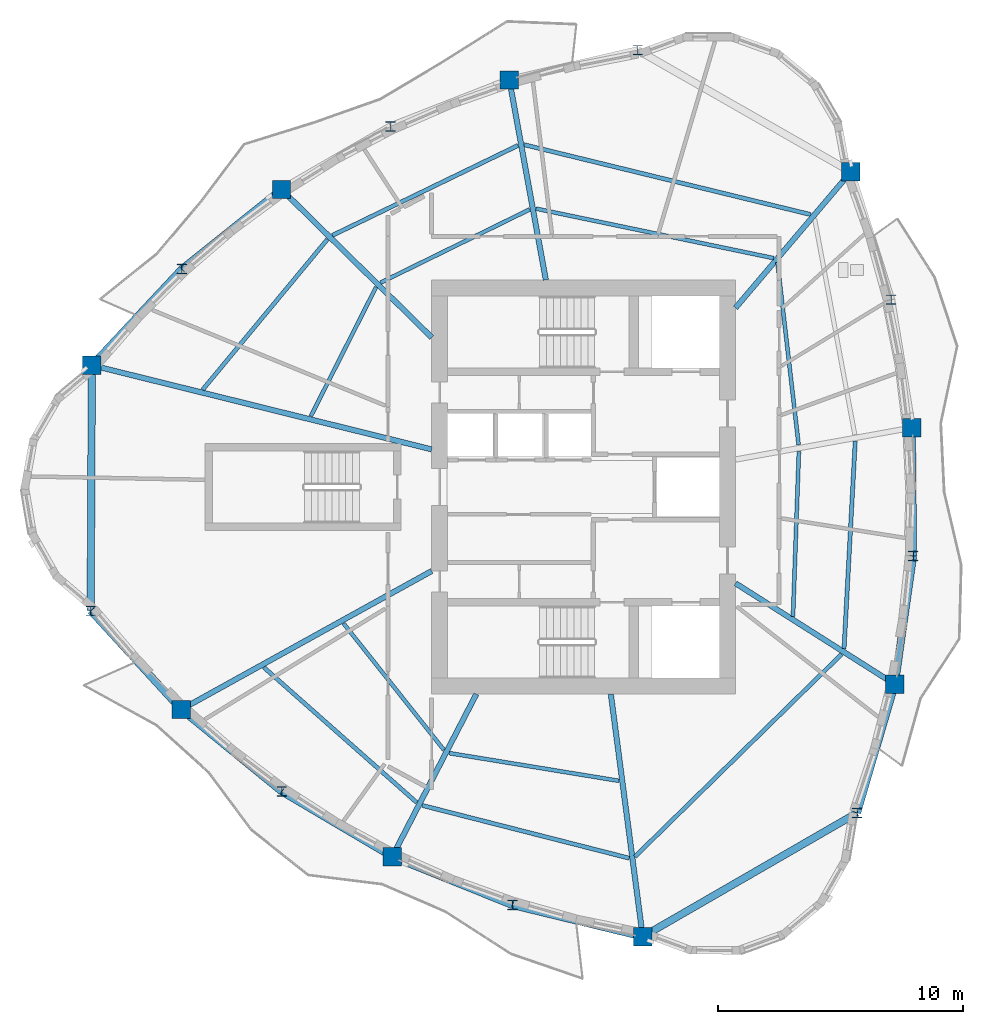
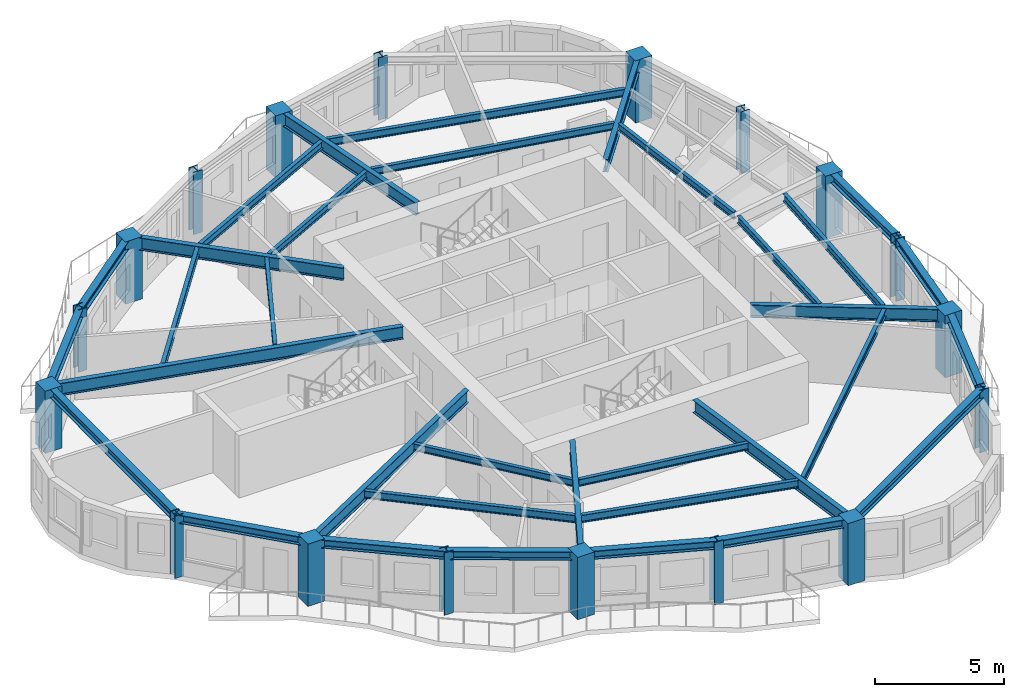
# One storey, part 1 of 12: 34 beams, 18 columns.
"""IFC4 building model written with IfcOpenShell, lengths in metres."""

from ifc_helpers import new_model, si_unit, direction, frame, origin, origin_2d, place, context, subcontext, project, spatial, rectangle, i_section, extrude, source, transform, mapped, material, material_profile, profile_set, type_object, element, save


model = new_model("IFC4")

# Units and contexts
model_context = context("Model", 3, precision=1e-05, world=origin(), true_north=direction((0.0, 1.0)))
body_context = subcontext(model_context, "Body", "Model", "MODEL_VIEW")
ifc_project = project(units=[si_unit("LENGTHUNIT", "METRE"), si_unit("AREAUNIT", "SQUARE_METRE"), si_unit("VOLUMEUNIT", "CUBIC_METRE"), si_unit("PLANEANGLEUNIT", "RADIAN"), si_unit("MASSUNIT", "GRAM", prefix="KILO")], contexts=[model_context])

# Site, building, storey
site_placement = place(None, origin())
site = spatial("IfcSite", under=ifc_project, at=site_placement, CompositionType="ELEMENT")
building_placement = place(site_placement, origin())
building = spatial("IfcBuilding", under=site, at=building_placement, Name="Qafzar Sky-Pleat Residences", CompositionType="ELEMENT")
storey_placement = place(building_placement, frame((0.0, 0.0, 174.60009765625)))
storey = spatial("IfcBuildingStorey", under=building, at=storey_placement, Name="L52", CompositionType="ELEMENT", Elevation=174.60009765625)

# Columns
ifc_material_1 = material(Name="Concrete C60/75", Category="concrete")
ifc_material_profile_1 = material_profile(ifc_material_1, rectangle(XDim=0.75, YDim=0.75, at=origin_2d()), Name="RC 750x750")
ifc_profile_set_1 = profile_set([ifc_material_profile_1], Name="Concrete C60/75")
column_type_1 = type_object("IfcColumnType", Name="COL-RC-750", PredefinedType="COLUMN", material=ifc_profile_set_1)
shared_shape_1 = source(origin(), body_context, "Body", "SweptSolid", [
    extrude(rectangle(XDim=0.75, YDim=0.75, at=origin_2d()), origin(), (0.0, 0.0, 1.0), 2.949951171875),
])
for number, where, z_axis, x_axis, name in (
    (1, (10.283203125, 30.967041015625, 0.0), (0.0, 0.0, 1.0), (1.0, 0.0, 0.0), "L52 Perimeter Mega Column 1"),
    (2, (13.931640625, 16.920166015625, 0.0), (0.0, 0.0, 1.0), (1.0, 0.0, 0.0), "L52 Perimeter Mega Column 3"),
    (3, (22.5380859375, 10.91552734375, 0.0), (0.0, 0.0, 1.0), (1.0, 0.0, 0.0), "L52 Perimeter Mega Column 5"),
    (4, (32.761962890625, 7.650390625, 0.0), (0.0, 0.0, 1.0), (1.0, 0.0, 0.0), "L52 Perimeter Mega Column 7"),
    (5, (43.050048828125, 17.948486328125, 0.0), (0.0, 0.0, 1.0), (1.0, 0.0, 0.0), "L52 Perimeter Mega Column 9"),
    (6, (43.74365234375, 28.419677734375, 0.0), (0.0, 0.0, 1.0), (1.0, 0.0, 0.0), "L52 Perimeter Mega Column 11"),
    (7, (41.25634765625, 38.860107421875, 0.0), (0.0, 0.0, 1.0), (1.0, 0.0, 0.0), "L52 Perimeter Mega Column 13"),
    (8, (27.320068359375, 42.60888671875, 0.0), (0.0, 0.0, 1.0), (1.0, 0.0, 0.0), "L52 Perimeter Mega Column 15"),
    (9, (18.02001953125, 38.142333984375, 0.0), (0.0, 0.0, 1.0), (1.0, 0.0, 0.0), "L52 Perimeter Mega Column 17"),
):
    element("IfcColumn", number, at=place(storey_placement, frame(where, z_axis=z_axis, x_axis=x_axis)), inside=storey, type_object=column_type_1, Name=name, PredefinedType="COLUMN", context=body_context, shape_type="MappedRepresentation", body=[
        mapped(shared_shape_1, transform((0.0, 0.0, 0.0), x_axis=(1.0, 0.0, 0.0), y_axis=(0.0, 1.0, 0.0), z_axis=(0.0, 0.0, 1.0), scale=1.0)),
    ])
ifc_material_2 = material(Name="Steel S355", Category="steel")
ifc_material_profile_2 = material_profile(ifc_material_2, i_section(OverallWidth=0.40087890625, OverallDepth=0.39892578125, WebThickness=0.02294921875, FlangeThickness=0.035888671875, FilletRadius=0.014892578125, at=origin_2d()), Name="HD 400x314")
ifc_profile_set_2 = profile_set([ifc_material_profile_2], Name="Steel S355")
column_type_2 = type_object("IfcColumnType", Name="COL-STL-HD314", PredefinedType="PILASTER", material=ifc_profile_set_2)
shared_shape_2 = source(origin(), body_context, "Body", "SweptSolid", [
    extrude(i_section(OverallWidth=0.40087890625, OverallDepth=0.39892578125, WebThickness=0.02294921875, FlangeThickness=0.035888671875, FilletRadius=0.014892578125, at=origin_2d()), origin(), (0.0, 0.0, 1.0), 2.949951171875),
])
for number, where, z_axis, x_axis, name in (
    (10, (10.234619140625, 20.94970703125, 0.0), (0.0, 0.0, 1.0), (1.0, 0.0, 0.0), "L52 Perimeter Mega Column 2"),
    (11, (18.03271484375, 13.575439453125, 0.0), (0.0, 0.0, 1.0), (1.0, 0.0, 0.0), "L52 Perimeter Mega Column 4"),
    (12, (27.447998046875, 8.940673828125, 0.0), (0.0, 0.0, 1.0), (1.0, 0.0, 0.0), "L52 Perimeter Mega Column 6"),
    (13, (41.51025390625, 12.701171875, 0.0), (0.0, 0.0, 1.0), (1.0, 0.0, 0.0), "L52 Perimeter Mega Column 8"),
    (14, (43.79443359375, 23.18798828125, 0.0), (0.0, 0.0, 1.0), (1.0, 0.0, 0.0), "L52 Perimeter Mega Column 10"),
    (15, (42.897705078125, 33.643798828125, 0.0), (0.0, 0.0, 1.0), (1.0, 0.0, 0.0), "L52 Perimeter Mega Column 12"),
    (16, (32.556640625, 43.82666015625, 0.0), (0.0, 0.0, 1.0), (1.0, 0.0, 0.0), "L52 Perimeter Mega Column 14"),
    (17, (22.474609375, 40.714111328125, 0.0), (0.0, 0.0, 1.0), (1.0, 0.0, 0.0), "L52 Perimeter Mega Column 16"),
    (18, (13.9560546875, 34.893310546875, 0.0), (0.0, 0.0, 1.0), (1.0, 0.0, 0.0), "L52 Perimeter Mega Column 18"),
):
    element("IfcColumn", number, at=place(storey_placement, frame(where, z_axis=z_axis, x_axis=x_axis)), inside=storey, type_object=column_type_2, Name=name, PredefinedType="PILASTER", context=body_context, shape_type="MappedRepresentation", body=[
        mapped(shared_shape_2, transform((0.0, 0.0, 0.0), x_axis=(1.0, 0.0, 0.0), y_axis=(0.0, 1.0, 0.0), z_axis=(0.0, 0.0, 1.0), scale=1.0)),
    ])

# Beams
ifc_material_profile_3 = material_profile(ifc_material_2, i_section(OverallWidth=0.300048828125, OverallDepth=0.39990234375, WebThickness=0.013427734375, FlangeThickness=0.02392578125, FilletRadius=0.027099609375, at=origin_2d()), Name="HEB 400")
ifc_profile_set_3 = profile_set([ifc_material_profile_3], Name="Steel S355")
beam_type_1 = type_object("IfcBeamType", Name="BM-SPAN-HEB400", PredefinedType="SPANDREL", material=ifc_profile_set_3)
shared_shape_3 = source(origin(), body_context, "Body", "SweptSolid", [
    extrude(i_section(OverallWidth=0.300048828125, OverallDepth=0.39990234375, WebThickness=0.013427734375, FlangeThickness=0.02392578125, FilletRadius=0.027099609375, at=origin_2d()), origin(), (0.0, 0.0, 1.0), 10.1015625),
])
beam_1_placement = place(storey_placement, frame((32.761962890625, 7.650390625, 2.747802734375), z_axis=(0.866027415153, 0.499996516191, 0.0), x_axis=(-0.499996516191, 0.866027415153, 0.0)))
element("IfcBeam", 19, at=beam_1_placement, inside=storey, type_object=beam_type_1, Name="L52 Perimeter Spandrel Beam 7", PredefinedType="SPANDREL", context=body_context, shape_type="MappedRepresentation", body=[
    mapped(shared_shape_3, transform((0.0, 0.0, 0.0), x_axis=(1.0, 0.0, 0.0), y_axis=(0.0, 1.0, 0.0), z_axis=(0.0, 0.0, 1.0), scale=1.0)),
])
shared_shape_4 = source(origin(), body_context, "Body", "SweptSolid", [
    extrude(i_section(OverallWidth=0.300048828125, OverallDepth=0.39990234375, WebThickness=0.013427734375, FlangeThickness=0.02392578125, FilletRadius=0.027099609375, at=origin_2d()), origin(), (0.0, 0.0, 1.0), 10.017333984375),
])
beam_2_placement = place(storey_placement, frame((10.283203125, 30.967041015625, 2.747802734375), z_axis=(-0.004849934429, -0.999988238999, 0.0), x_axis=(0.999988238999, -0.004849934429, 0.0)))
element("IfcBeam", 20, at=beam_2_placement, inside=storey, type_object=beam_type_1, Name="L52 Perimeter Spandrel Beam 1", PredefinedType="SPANDREL", context=body_context, shape_type="MappedRepresentation", body=[
    mapped(shared_shape_4, transform((0.0, 0.0, 0.0), x_axis=(1.0, 0.0, 0.0), y_axis=(0.0, 1.0, 0.0), z_axis=(0.0, 0.0, 1.0), scale=1.0)),
])
shared_shape_5 = source(origin(), body_context, "Body", "SweptSolid", [
    extrude(i_section(OverallWidth=0.300048828125, OverallDepth=0.39990234375, WebThickness=0.013427734375, FlangeThickness=0.02392578125, FilletRadius=0.027099609375, at=origin_2d()), origin(), (0.0, 0.0, 1.0), 5.468505859375),
])
for number, where, z_axis, x_axis, name in (
    (21, (10.234619140625, 20.94970703125, 2.747802734375), (0.676050045545, -0.736855709022, 0.0), (0.736855709022, 0.676050045545, 0.0), "L52 Perimeter Spandrel Beam 2"),
    (22, (41.51025390625, 12.701171875, 2.747802734375), (0.281571675808, 0.959540197898, 0.0), (-0.959540197898, 0.281571675808, 0.0), "L52 Perimeter Spandrel Beam 8"),
):
    element("IfcBeam", number, at=place(storey_placement, frame(where, z_axis=z_axis, x_axis=x_axis)), inside=storey, type_object=beam_type_1, Name=name, PredefinedType="SPANDREL", context=body_context, shape_type="MappedRepresentation", body=[
        mapped(shared_shape_5, transform((0.0, 0.0, 0.0), x_axis=(1.0, 0.0, 0.0), y_axis=(0.0, 1.0, 0.0), z_axis=(0.0, 0.0, 1.0), scale=1.0)),
    ])
shared_shape_6 = source(origin(), body_context, "Body", "SweptSolid", [
    extrude(i_section(OverallWidth=0.300048828125, OverallDepth=0.39990234375, WebThickness=0.013427734375, FlangeThickness=0.02392578125, FilletRadius=0.027099609375, at=origin_2d()), origin(), (0.0, 0.0, 1.0), 5.2919921875),
])
beam_3_placement = place(storey_placement, frame((13.931640625, 16.920166015625, 2.747802734375), z_axis=(0.774947075878, -0.632026130463, 0.0), x_axis=(0.632026130463, 0.774947075878, 0.0)))
element("IfcBeam", 23, at=beam_3_placement, inside=storey, type_object=beam_type_1, Name="L52 Perimeter Spandrel Beam 3", PredefinedType="SPANDREL", context=body_context, shape_type="MappedRepresentation", body=[
    mapped(shared_shape_6, transform((0.0, 0.0, 0.0), x_axis=(1.0, 0.0, 0.0), y_axis=(0.0, 1.0, 0.0), z_axis=(0.0, 0.0, 1.0), scale=1.0)),
])
shared_shape_7 = source(origin(), body_context, "Body", "SweptSolid", [
    extrude(i_section(OverallWidth=0.300048828125, OverallDepth=0.39990234375, WebThickness=0.013427734375, FlangeThickness=0.02392578125, FilletRadius=0.027099609375, at=origin_2d()), origin(), (0.0, 0.0, 1.0), 5.23193359375),
])
for number, where, z_axis, x_axis, name in (
    (24, (18.03271484375, 13.575439453125, 2.747802734375), (0.861123406865, -0.508395985575, 0.0), (0.508395985575, 0.861123406865, 0.0), "L52 Perimeter Spandrel Beam 4"),
    (25, (43.79443359375, 23.18798828125, 2.747802734375), (-0.009706015319, 0.999952895524, 0.0), (-0.999952895524, -0.009706015319, 0.0), "L52 Perimeter Spandrel Beam 10"),
):
    element("IfcBeam", number, at=place(storey_placement, frame(where, z_axis=z_axis, x_axis=x_axis)), inside=storey, type_object=beam_type_1, Name=name, PredefinedType="SPANDREL", context=body_context, shape_type="MappedRepresentation", body=[
        mapped(shared_shape_7, transform((0.0, 0.0, 0.0), x_axis=(1.0, 0.0, 0.0), y_axis=(0.0, 1.0, 0.0), z_axis=(0.0, 0.0, 1.0), scale=1.0)),
    ])
shared_shape_8 = source(origin(), body_context, "Body", "SweptSolid", [
    extrude(i_section(OverallWidth=0.300048828125, OverallDepth=0.39990234375, WebThickness=0.013427734375, FlangeThickness=0.02392578125, FilletRadius=0.027099609375, at=origin_2d()), origin(), (0.0, 0.0, 1.0), 5.292236328125),
])
for number, where, z_axis, x_axis, name in (
    (26, (22.5380859375, 10.91552734375, 2.747802734375), (0.927765514631, -0.373163703836, 0.0), (0.373163703836, 0.927765514631, 0.0), "L52 Perimeter Spandrel Beam 5"),
    (27, (43.050048828125, 17.948486328125, 2.747802734375), (0.140659198893, 0.990058073937, 0.0), (-0.990058073937, 0.140659198893, 0.0), "L52 Perimeter Spandrel Beam 9"),
):
    element("IfcBeam", number, at=place(storey_placement, frame(where, z_axis=z_axis, x_axis=x_axis)), inside=storey, type_object=beam_type_1, Name=name, PredefinedType="SPANDREL", context=body_context, shape_type="MappedRepresentation", body=[
        mapped(shared_shape_8, transform((0.0, 0.0, 0.0), x_axis=(1.0, 0.0, 0.0), y_axis=(0.0, 1.0, 0.0), z_axis=(0.0, 0.0, 1.0), scale=1.0)),
    ])
shared_shape_9 = source(origin(), body_context, "Body", "SweptSolid", [
    extrude(i_section(OverallWidth=0.300048828125, OverallDepth=0.39990234375, WebThickness=0.013427734375, FlangeThickness=0.02392578125, FilletRadius=0.027099609375, at=origin_2d()), origin(), (0.0, 0.0, 1.0), 5.46826171875),
])
beam_4_placement = place(storey_placement, frame((27.447998046875, 8.940673828125, 2.747802734375), z_axis=(0.971764234229, -0.235953963884, 0.0), x_axis=(0.235953963884, 0.971764234229, 0.0)))
element("IfcBeam", 28, at=beam_4_placement, inside=storey, type_object=beam_type_1, Name="L52 Perimeter Spandrel Beam 6", PredefinedType="SPANDREL", context=body_context, shape_type="MappedRepresentation", body=[
    mapped(shared_shape_9, transform((0.0, 0.0, 0.0), x_axis=(1.0, 0.0, 0.0), y_axis=(0.0, 1.0, 0.0), z_axis=(0.0, 0.0, 1.0), scale=1.0)),
])
shared_shape_10 = source(origin(), body_context, "Body", "SweptSolid", [
    extrude(i_section(OverallWidth=0.300048828125, OverallDepth=0.39990234375, WebThickness=0.013427734375, FlangeThickness=0.02392578125, FilletRadius=0.027099609375, at=origin_2d()), origin(), (0.0, 0.0, 1.0), 5.203125),
])
beam_5_placement = place(storey_placement, frame((18.02001953125, 38.142333984375, 2.747802734375), z_axis=(-0.781070191817, -0.624443236375, 0.0), x_axis=(0.624443236375, -0.781070191817, 0.0)))
element("IfcBeam", 29, at=beam_5_placement, inside=storey, type_object=beam_type_1, Name="L52 Perimeter Spandrel Beam 17", PredefinedType="SPANDREL", context=body_context, shape_type="MappedRepresentation", body=[
    mapped(shared_shape_10, transform((0.0, 0.0, 0.0), x_axis=(1.0, 0.0, 0.0), y_axis=(0.0, 1.0, 0.0), z_axis=(0.0, 0.0, 1.0), scale=1.0)),
])
shared_shape_11 = source(origin(), body_context, "Body", "SweptSolid", [
    extrude(i_section(OverallWidth=0.300048828125, OverallDepth=0.39990234375, WebThickness=0.013427734375, FlangeThickness=0.02392578125, FilletRadius=0.027099609375, at=origin_2d()), origin(), (0.0, 0.0, 1.0), 5.37646484375),
])
beam_6_placement = place(storey_placement, frame((13.9560546875, 34.893310546875, 2.747802734375), z_axis=(-0.683146192025, -0.730281644519, 0.0), x_axis=(0.730281644519, -0.683146192025, 0.0)))
element("IfcBeam", 30, at=beam_6_placement, inside=storey, type_object=beam_type_1, Name="L52 Perimeter Spandrel Beam 18", PredefinedType="SPANDREL", context=body_context, shape_type="MappedRepresentation", body=[
    mapped(shared_shape_11, transform((0.0, 0.0, 0.0), x_axis=(1.0, 0.0, 0.0), y_axis=(0.0, 1.0, 0.0), z_axis=(0.0, 0.0, 1.0), scale=1.0)),
])
ifc_material_profile_4 = material_profile(ifc_material_2, i_section(OverallWidth=0.219970703125, OverallDepth=0.60009765625, WebThickness=0.011962890625, FlangeThickness=0.01904296875, FilletRadius=0.02392578125, at=origin_2d()), Name="IPE 600")
ifc_profile_set_4 = profile_set([ifc_material_profile_4], Name="Steel S355")
beam_type_2 = type_object("IfcBeamType", Name="BM-SEC-IPE600", PredefinedType="BEAM", material=ifc_profile_set_4)
shared_shape_12 = source(origin(), body_context, "Body", "SweptSolid", [
    extrude(i_section(OverallWidth=0.219970703125, OverallDepth=0.60009765625, WebThickness=0.011962890625, FlangeThickness=0.01904296875, FilletRadius=0.02392578125, at=origin_2d()), origin(), (0.0, 0.0, 1.0), 14.28515625),
])
beam_7_placement = place(storey_placement, frame((10.283203125, 30.967041015625, 2.64794921875), z_axis=(0.97070485886, -0.24027500283, 0.0), x_axis=(0.24027500283, 0.97070485886, 0.0)))
element("IfcBeam", 31, at=beam_7_placement, inside=storey, type_object=beam_type_2, Name="L52 Radial Floor Girder 1", PredefinedType="BEAM", context=body_context, shape_type="MappedRepresentation", body=[
    mapped(shared_shape_12, transform((0.0, 0.0, 0.0), x_axis=(1.0, 0.0, 0.0), y_axis=(0.0, 1.0, 0.0), z_axis=(0.0, 0.0, 1.0), scale=1.0)),
])
shared_shape_13 = source(origin(), body_context, "Body", "SweptSolid", [
    extrude(i_section(OverallWidth=0.219970703125, OverallDepth=0.60009765625, WebThickness=0.011962890625, FlangeThickness=0.01904296875, FilletRadius=0.02392578125, at=origin_2d()), origin(), (0.0, 0.0, 1.0), 11.6767578125),
])
beam_8_placement = place(storey_placement, frame((13.931640625, 16.920166015625, 2.64794921875), z_axis=(0.875089622608, 0.483960899664, 0.0), x_axis=(-0.483960899664, 0.875089622608, 0.0)))
element("IfcBeam", 32, at=beam_8_placement, inside=storey, type_object=beam_type_2, Name="L52 Radial Floor Girder 3", PredefinedType="BEAM", context=body_context, shape_type="MappedRepresentation", body=[
    mapped(shared_shape_13, transform((0.0, 0.0, 0.0), x_axis=(1.0, 0.0, 0.0), y_axis=(0.0, 1.0, 0.0), z_axis=(0.0, 0.0, 1.0), scale=1.0)),
])
shared_shape_14 = source(origin(), body_context, "Body", "SweptSolid", [
    extrude(i_section(OverallWidth=0.219970703125, OverallDepth=0.60009765625, WebThickness=0.011962890625, FlangeThickness=0.01904296875, FilletRadius=0.02392578125, at=origin_2d()), origin(), (0.0, 0.0, 1.0), 7.471435546875),
])
beam_9_placement = place(storey_placement, frame((22.5380859375, 10.91552734375, 2.64794921875), z_axis=(0.459885995206, 0.887977967865, 0.0), x_axis=(-0.887977967865, 0.459885995206, 0.0)))
element("IfcBeam", 33, at=beam_9_placement, inside=storey, type_object=beam_type_2, Name="L52 Radial Floor Girder 5", PredefinedType="BEAM", context=body_context, shape_type="MappedRepresentation", body=[
    mapped(shared_shape_14, transform((0.0, 0.0, 0.0), x_axis=(1.0, 0.0, 0.0), y_axis=(0.0, 1.0, 0.0), z_axis=(0.0, 0.0, 1.0), scale=1.0)),
])
shared_shape_15 = source(origin(), body_context, "Body", "SweptSolid", [
    extrude(i_section(OverallWidth=0.219970703125, OverallDepth=0.60009765625, WebThickness=0.011962890625, FlangeThickness=0.01904296875, FilletRadius=0.02392578125, at=origin_2d()), origin(), (0.0, 0.0, 1.0), 9.98486328125),
])
beam_10_placement = place(storey_placement, frame((32.761962890625, 7.650390625, 2.64794921875), z_axis=(-0.13032484857, 0.99147134797, 0.0), x_axis=(-0.99147134797, -0.13032484857, 0.0)))
element("IfcBeam", 34, at=beam_10_placement, inside=storey, type_object=beam_type_2, Name="L52 Radial Floor Girder 7", PredefinedType="BEAM", context=body_context, shape_type="MappedRepresentation", body=[
    mapped(shared_shape_15, transform((0.0, 0.0, 0.0), x_axis=(1.0, 0.0, 0.0), y_axis=(0.0, 1.0, 0.0), z_axis=(0.0, 0.0, 1.0), scale=1.0)),
])
shared_shape_16 = source(origin(), body_context, "Body", "SweptSolid", [
    extrude(i_section(OverallWidth=0.219970703125, OverallDepth=0.60009765625, WebThickness=0.011962890625, FlangeThickness=0.01904296875, FilletRadius=0.02392578125, at=origin_2d()), origin(), (0.0, 0.0, 1.0), 7.6962890625),
])
beam_11_placement = place(storey_placement, frame((43.050048828125, 17.948486328125, 2.64794921875), z_axis=(-0.844573308828, 0.535439936888, 0.0), x_axis=(-0.535439936888, -0.844573308828, 0.0)))
element("IfcBeam", 35, at=beam_11_placement, inside=storey, type_object=beam_type_2, Name="L52 Radial Floor Girder 9", PredefinedType="BEAM", context=body_context, shape_type="MappedRepresentation", body=[
    mapped(shared_shape_16, transform((0.0, 0.0, 0.0), x_axis=(1.0, 0.0, 0.0), y_axis=(0.0, 1.0, 0.0), z_axis=(0.0, 0.0, 1.0), scale=1.0)),
])
shared_shape_17 = source(origin(), body_context, "Body", "SweptSolid", [
    extrude(i_section(OverallWidth=0.219970703125, OverallDepth=0.60009765625, WebThickness=0.011962890625, FlangeThickness=0.01904296875, FilletRadius=0.02392578125, at=origin_2d()), origin(), (0.0, 0.0, 1.0), 7.2763671875),
])
beam_12_placement = place(storey_placement, frame((41.25634765625, 38.860107421875, 2.64794921875), z_axis=(-0.64678412208, -0.76267312751, 0.0), x_axis=(0.76267312751, -0.64678412208, 0.0)))
element("IfcBeam", 36, at=beam_12_placement, inside=storey, type_object=beam_type_2, Name="L52 Radial Floor Girder 13", PredefinedType="BEAM", context=body_context, shape_type="MappedRepresentation", body=[
    mapped(shared_shape_17, transform((0.0, 0.0, 0.0), x_axis=(1.0, 0.0, 0.0), y_axis=(0.0, 1.0, 0.0), z_axis=(0.0, 0.0, 1.0), scale=1.0)),
])
shared_shape_18 = source(origin(), body_context, "Body", "SweptSolid", [
    extrude(i_section(OverallWidth=0.219970703125, OverallDepth=0.60009765625, WebThickness=0.011962890625, FlangeThickness=0.01904296875, FilletRadius=0.02392578125, at=origin_2d()), origin(), (0.0, 0.0, 1.0), 8.293701171875),
])
beam_13_placement = place(storey_placement, frame((27.320068359375, 42.60888671875, 2.64794921875), z_axis=(0.17947862419, -0.983761873351, 0.0), x_axis=(0.983761873351, 0.17947862419, 0.0)))
element("IfcBeam", 37, at=beam_13_placement, inside=storey, type_object=beam_type_2, Name="L52 Radial Floor Girder 15", PredefinedType="BEAM", context=body_context, shape_type="MappedRepresentation", body=[
    mapped(shared_shape_18, transform((0.0, 0.0, 0.0), x_axis=(1.0, 0.0, 0.0), y_axis=(0.0, 1.0, 0.0), z_axis=(0.0, 0.0, 1.0), scale=1.0)),
])
shared_shape_19 = source(origin(), body_context, "Body", "SweptSolid", [
    extrude(i_section(OverallWidth=0.219970703125, OverallDepth=0.60009765625, WebThickness=0.011962890625, FlangeThickness=0.01904296875, FilletRadius=0.02392578125, at=origin_2d()), origin(), (0.0, 0.0, 1.0), 8.603271484375),
])
beam_14_placement = place(storey_placement, frame((18.02001953125, 38.142333984375, 2.64794921875), z_axis=(0.712506139555, -0.701665875682, 0.0), x_axis=(0.701665875682, 0.712506139555, 0.0)))
element("IfcBeam", 38, at=beam_14_placement, inside=storey, type_object=beam_type_2, Name="L52 Radial Floor Girder 17", PredefinedType="BEAM", context=body_context, shape_type="MappedRepresentation", body=[
    mapped(shared_shape_19, transform((0.0, 0.0, 0.0), x_axis=(1.0, 0.0, 0.0), y_axis=(0.0, 1.0, 0.0), z_axis=(0.0, 0.0, 1.0), scale=1.0)),
])
ifc_material_profile_5 = material_profile(ifc_material_2, i_section(OverallWidth=0.169921875, OverallDepth=0.360107421875, WebThickness=0.008056640625, FlangeThickness=0.0126953125, FilletRadius=0.01806640625, at=origin_2d()), Name="IPE 360")
ifc_profile_set_5 = profile_set([ifc_material_profile_5], Name="Steel S355")
beam_type_3 = type_object("IfcBeamType", Name="BM-JST-IPE360", PredefinedType="JOIST", material=ifc_profile_set_5)
shared_shape_20 = source(origin(), body_context, "Body", "SweptSolid", [
    extrude(i_section(OverallWidth=0.169921875, OverallDepth=0.360107421875, WebThickness=0.008056640625, FlangeThickness=0.0126953125, FilletRadius=0.01806640625, at=origin_2d()), origin(), (0.0, 0.0, 1.0), 8.32080078125),
])
beam_15_placement = place(storey_placement, frame((17.302490234375, 18.638916015625, 2.767822265625), z_axis=(0.749224453308, -0.662316177189, 0.0), x_axis=(0.662316177189, 0.749224453308, 0.0)))
element("IfcBeam", 39, at=beam_15_placement, inside=storey, type_object=beam_type_3, Name="L52 Outer Secondary Floor Joist 2", PredefinedType="JOIST", context=body_context, shape_type="MappedRepresentation", body=[
    mapped(shared_shape_20, transform((0.0, 0.0, 0.0), x_axis=(1.0, 0.0, 0.0), y_axis=(0.0, 1.0, 0.0), z_axis=(0.0, 0.0, 1.0), scale=1.0)),
])
shared_shape_21 = source(origin(), body_context, "Body", "SweptSolid", [
    extrude(i_section(OverallWidth=0.169921875, OverallDepth=0.360107421875, WebThickness=0.008056640625, FlangeThickness=0.0126953125, FilletRadius=0.01806640625, at=origin_2d()), origin(), (0.0, 0.0, 1.0), 8.71630859375),
])
beam_16_placement = place(storey_placement, frame((23.7685546875, 13.00537109375, 2.767822265625), z_axis=(0.968989948873, -0.247100139585, 0.0), x_axis=(0.247100139585, 0.968989948873, 0.0)))
element("IfcBeam", 40, at=beam_16_placement, inside=storey, type_object=beam_type_3, Name="L52 Outer Secondary Floor Joist 3", PredefinedType="JOIST", context=body_context, shape_type="MappedRepresentation", body=[
    mapped(shared_shape_21, transform((0.0, 0.0, 0.0), x_axis=(1.0, 0.0, 0.0), y_axis=(0.0, 1.0, 0.0), z_axis=(0.0, 0.0, 1.0), scale=1.0)),
])
shared_shape_22 = source(origin(), body_context, "Body", "SweptSolid", [
    extrude(i_section(OverallWidth=0.169921875, OverallDepth=0.360107421875, WebThickness=0.008056640625, FlangeThickness=0.0126953125, FilletRadius=0.01806640625, at=origin_2d()), origin(), (0.0, 0.0, 1.0), 11.803466796875),
])
beam_17_placement = place(storey_placement, frame((32.44189453125, 10.91259765625, 2.767822265625), z_axis=(0.714339800736, 0.699799006205, 0.0), x_axis=(-0.699799006205, 0.714339800736, 0.0)))
element("IfcBeam", 41, at=beam_17_placement, inside=storey, type_object=beam_type_3, Name="L52 Outer Secondary Floor Joist 4", PredefinedType="JOIST", context=body_context, shape_type="MappedRepresentation", body=[
    mapped(shared_shape_22, transform((0.0, 0.0, 0.0), x_axis=(1.0, 0.0, 0.0), y_axis=(0.0, 1.0, 0.0), z_axis=(0.0, 0.0, 1.0), scale=1.0)),
])
shared_shape_23 = source(origin(), body_context, "Body", "SweptSolid", [
    extrude(i_section(OverallWidth=0.169921875, OverallDepth=0.360107421875, WebThickness=0.008056640625, FlangeThickness=0.0126953125, FilletRadius=0.01806640625, at=origin_2d()), origin(), (0.0, 0.0, 1.0), 8.479248046875),
])
beam_18_placement = place(storey_placement, frame((40.977294921875, 19.40185546875, 2.767822265625), z_axis=(0.053899219297, 0.998546380575, 0.0), x_axis=(-0.998546380575, 0.053899219297, 0.0)))
element("IfcBeam", 42, at=beam_18_placement, inside=storey, type_object=beam_type_3, Name="L52 Outer Secondary Floor Joist 5", PredefinedType="JOIST", context=body_context, shape_type="MappedRepresentation", body=[
    mapped(shared_shape_23, transform((0.0, 0.0, 0.0), x_axis=(1.0, 0.0, 0.0), y_axis=(0.0, 1.0, 0.0), z_axis=(0.0, 0.0, 1.0), scale=1.0)),
])
shared_shape_24 = source(origin(), body_context, "Body", "SweptSolid", [
    extrude(i_section(OverallWidth=0.169921875, OverallDepth=0.360107421875, WebThickness=0.008056640625, FlangeThickness=0.0126953125, FilletRadius=0.01806640625, at=origin_2d()), origin(), (0.0, 0.0, 1.0), 12.033935546875),
])
beam_19_placement = place(storey_placement, frame((39.619140625, 37.1162109375, 2.767822265625), z_axis=(-0.971554160577, 0.23681746782, 0.0), x_axis=(-0.23681746782, -0.971554160577, 0.0)))
element("IfcBeam", 43, at=beam_19_placement, inside=storey, type_object=beam_type_3, Name="L52 Outer Secondary Floor Joist 7", PredefinedType="JOIST", context=body_context, shape_type="MappedRepresentation", body=[
    mapped(shared_shape_24, transform((0.0, 0.0, 0.0), x_axis=(1.0, 0.0, 0.0), y_axis=(0.0, 1.0, 0.0), z_axis=(0.0, 0.0, 1.0), scale=1.0)),
])
shared_shape_25 = source(origin(), body_context, "Body", "SweptSolid", [
    extrude(i_section(OverallWidth=0.169921875, OverallDepth=0.360107421875, WebThickness=0.008056640625, FlangeThickness=0.0126953125, FilletRadius=0.01806640625, at=origin_2d()), origin(), (0.0, 0.0, 1.0), 8.414306640625),
])
beam_20_placement = place(storey_placement, frame((27.6748046875, 39.939208984375, 2.767822265625), z_axis=(-0.89987208616, -0.436153904661, 0.0), x_axis=(0.436153904661, -0.89987208616, 0.0)))
element("IfcBeam", 44, at=beam_20_placement, inside=storey, type_object=beam_type_3, Name="L52 Outer Secondary Floor Joist 8", PredefinedType="JOIST", context=body_context, shape_type="MappedRepresentation", body=[
    mapped(shared_shape_25, transform((0.0, 0.0, 0.0), x_axis=(1.0, 0.0, 0.0), y_axis=(0.0, 1.0, 0.0), z_axis=(0.0, 0.0, 1.0), scale=1.0)),
])
shared_shape_26 = source(origin(), body_context, "Body", "SweptSolid", [
    extrude(i_section(OverallWidth=0.169921875, OverallDepth=0.360107421875, WebThickness=0.008056640625, FlangeThickness=0.0126953125, FilletRadius=0.01806640625, at=origin_2d()), origin(), (0.0, 0.0, 1.0), 7.9697265625),
])
beam_21_placement = place(storey_placement, frame((19.895263671875, 36.106689453125, 2.767822265625), z_axis=(-0.638456278061, -0.769658093574, 0.0), x_axis=(0.769658093574, -0.638456278061, 0.0)))
element("IfcBeam", 45, at=beam_21_placement, inside=storey, type_object=beam_type_3, Name="L52 Outer Secondary Floor Joist 9", PredefinedType="JOIST", context=body_context, shape_type="MappedRepresentation", body=[
    mapped(shared_shape_26, transform((0.0, 0.0, 0.0), x_axis=(1.0, 0.0, 0.0), y_axis=(0.0, 1.0, 0.0), z_axis=(0.0, 0.0, 1.0), scale=1.0)),
])
ifc_material_profile_6 = material_profile(ifc_material_2, i_section(OverallWidth=0.159912109375, OverallDepth=0.330078125, WebThickness=0.007568359375, FlangeThickness=0.011474609375, FilletRadius=0.01806640625, at=origin_2d()), Name="IPE 330")
ifc_profile_set_6 = profile_set([ifc_material_profile_6], Name="Steel S355")
beam_type_4 = type_object("IfcBeamType", Name="BM-JST-IPE330", PredefinedType="JOIST", material=ifc_profile_set_6)
shared_shape_27 = source(origin(), body_context, "Body", "SweptSolid", [
    extrude(i_section(OverallWidth=0.159912109375, OverallDepth=0.330078125, WebThickness=0.007568359375, FlangeThickness=0.011474609375, FilletRadius=0.01806640625, at=origin_2d()), origin(), (0.0, 0.0, 1.0), 6.59228515625),
])
beam_22_placement = place(storey_placement, frame((20.555419921875, 20.43115234375, 2.782958984375), z_axis=(0.621623595357, -0.783316095644, 0.0), x_axis=(0.783316095644, 0.621623595357, 0.0)))
element("IfcBeam", 46, at=beam_22_placement, inside=storey, type_object=beam_type_4, Name="L52 Inner Secondary Floor Joist 2", PredefinedType="JOIST", context=body_context, shape_type="MappedRepresentation", body=[
    mapped(shared_shape_27, transform((0.0, 0.0, 0.0), x_axis=(1.0, 0.0, 0.0), y_axis=(0.0, 1.0, 0.0), z_axis=(0.0, 0.0, 1.0), scale=1.0)),
])
shared_shape_28 = source(origin(), body_context, "Body", "SweptSolid", [
    extrude(i_section(OverallWidth=0.159912109375, OverallDepth=0.330078125, WebThickness=0.007568359375, FlangeThickness=0.011474609375, FilletRadius=0.01806640625, at=origin_2d()), origin(), (0.0, 0.0, 1.0), 7.017333984375),
])
beam_23_placement = place(storey_placement, frame((24.870361328125, 15.139892578125, 2.782958984375), z_axis=(0.986901586035, -0.161323462278, 0.0), x_axis=(0.161323462278, 0.986901586035, 0.0)))
element("IfcBeam", 47, at=beam_23_placement, inside=storey, type_object=beam_type_4, Name="L52 Inner Secondary Floor Joist 3", PredefinedType="JOIST", context=body_context, shape_type="MappedRepresentation", body=[
    mapped(shared_shape_28, transform((0.0, 0.0, 0.0), x_axis=(1.0, 0.0, 0.0), y_axis=(0.0, 1.0, 0.0), z_axis=(0.0, 0.0, 1.0), scale=1.0)),
])
shared_shape_29 = source(origin(), body_context, "Body", "SweptSolid", [
    extrude(i_section(OverallWidth=0.159912109375, OverallDepth=0.330078125, WebThickness=0.007568359375, FlangeThickness=0.011474609375, FilletRadius=0.01806640625, at=origin_2d()), origin(), (0.0, 0.0, 1.0), 6.736572265625),
])
beam_24_placement = place(storey_placement, frame((38.894775390625, 20.720703125, 2.782958984375), z_axis=(0.035661798481, 0.999363915763, 0.0), x_axis=(-0.999363915763, 0.035661798481, 0.0)))
element("IfcBeam", 48, at=beam_24_placement, inside=storey, type_object=beam_type_4, Name="L52 Inner Secondary Floor Joist 5", PredefinedType="JOIST", context=body_context, shape_type="MappedRepresentation", body=[
    mapped(shared_shape_29, transform((0.0, 0.0, 0.0), x_axis=(1.0, 0.0, 0.0), y_axis=(0.0, 1.0, 0.0), z_axis=(0.0, 0.0, 1.0), scale=1.0)),
])
shared_shape_30 = source(origin(), body_context, "Body", "SweptSolid", [
    extrude(i_section(OverallWidth=0.159912109375, OverallDepth=0.330078125, WebThickness=0.007568359375, FlangeThickness=0.011474609375, FilletRadius=0.01806640625, at=origin_2d()), origin(), (0.0, 0.0, 1.0), 7.502197265625),
])
beam_25_placement = place(storey_placement, frame((39.1240234375, 27.721923828125, 2.782958984375), z_axis=(-0.115166331805, 0.993346221626, 0.0), x_axis=(-0.993346221626, -0.115166331805, 0.0)))
element("IfcBeam", 49, at=beam_25_placement, inside=storey, type_object=beam_type_4, Name="L52 Inner Secondary Floor Joist 6", PredefinedType="JOIST", context=body_context, shape_type="MappedRepresentation", body=[
    mapped(shared_shape_30, transform((0.0, 0.0, 0.0), x_axis=(1.0, 0.0, 0.0), y_axis=(0.0, 1.0, 0.0), z_axis=(0.0, 0.0, 1.0), scale=1.0)),
])
shared_shape_31 = source(origin(), body_context, "Body", "SweptSolid", [
    extrude(i_section(OverallWidth=0.159912109375, OverallDepth=0.330078125, WebThickness=0.007568359375, FlangeThickness=0.011474609375, FilletRadius=0.01806640625, at=origin_2d()), origin(), (0.0, 0.0, 1.0), 9.916015625),
])
beam_26_placement = place(storey_placement, frame((38.112060546875, 35.3359375, 2.782958984375), z_axis=(-0.978953578117, 0.204083051458, 0.0), x_axis=(-0.204083051458, -0.978953578117, 0.0)))
element("IfcBeam", 50, at=beam_26_placement, inside=storey, type_object=beam_type_4, Name="L52 Inner Secondary Floor Joist 7", PredefinedType="JOIST", context=body_context, shape_type="MappedRepresentation", body=[
    mapped(shared_shape_31, transform((0.0, 0.0, 0.0), x_axis=(1.0, 0.0, 0.0), y_axis=(0.0, 1.0, 0.0), z_axis=(0.0, 0.0, 1.0), scale=1.0)),
])
shared_shape_32 = source(origin(), body_context, "Body", "SweptSolid", [
    extrude(i_section(OverallWidth=0.159912109375, OverallDepth=0.330078125, WebThickness=0.007568359375, FlangeThickness=0.011474609375, FilletRadius=0.01806640625, at=origin_2d()), origin(), (0.0, 0.0, 1.0), 6.78173828125),
])
beam_27_placement = place(storey_placement, frame((28.151611328125, 37.32763671875, 2.782958984375), z_axis=(-0.897615302136, -0.440779728858, 0.0), x_axis=(0.440779728858, -0.897615302136, 0.0)))
element("IfcBeam", 51, at=beam_27_placement, inside=storey, type_object=beam_type_4, Name="L52 Inner Secondary Floor Joist 8", PredefinedType="JOIST", context=body_context, shape_type="MappedRepresentation", body=[
    mapped(shared_shape_32, transform((0.0, 0.0, 0.0), x_axis=(1.0, 0.0, 0.0), y_axis=(0.0, 1.0, 0.0), z_axis=(0.0, 0.0, 1.0), scale=1.0)),
])
shared_shape_33 = source(origin(), body_context, "Body", "SweptSolid", [
    extrude(i_section(OverallWidth=0.159912109375, OverallDepth=0.330078125, WebThickness=0.007568359375, FlangeThickness=0.011474609375, FilletRadius=0.01806640625, at=origin_2d()), origin(), (0.0, 0.0, 1.0), 5.90234375),
])
beam_28_placement = place(storey_placement, frame((21.882080078125, 34.158203125, 2.782958984375), z_axis=(-0.451196624226, -0.892424566161, 0.0), x_axis=(0.892424566161, -0.451196624226, 0.0)))
element("IfcBeam", 52, at=beam_28_placement, inside=storey, type_object=beam_type_4, Name="L52 Inner Secondary Floor Joist 9", PredefinedType="JOIST", context=body_context, shape_type="MappedRepresentation", body=[
    mapped(shared_shape_33, transform((0.0, 0.0, 0.0), x_axis=(1.0, 0.0, 0.0), y_axis=(0.0, 1.0, 0.0), z_axis=(0.0, 0.0, 1.0), scale=1.0)),
])

save(model, "model.ifc")
